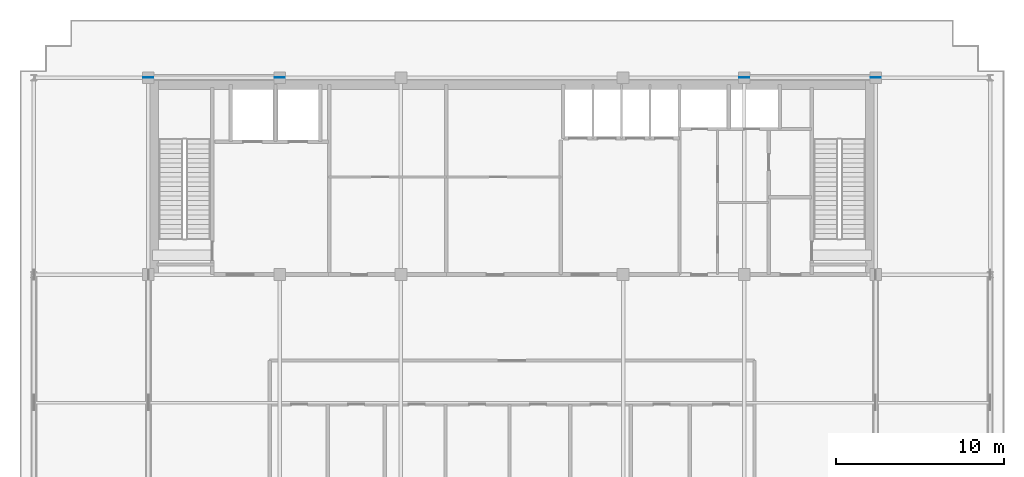
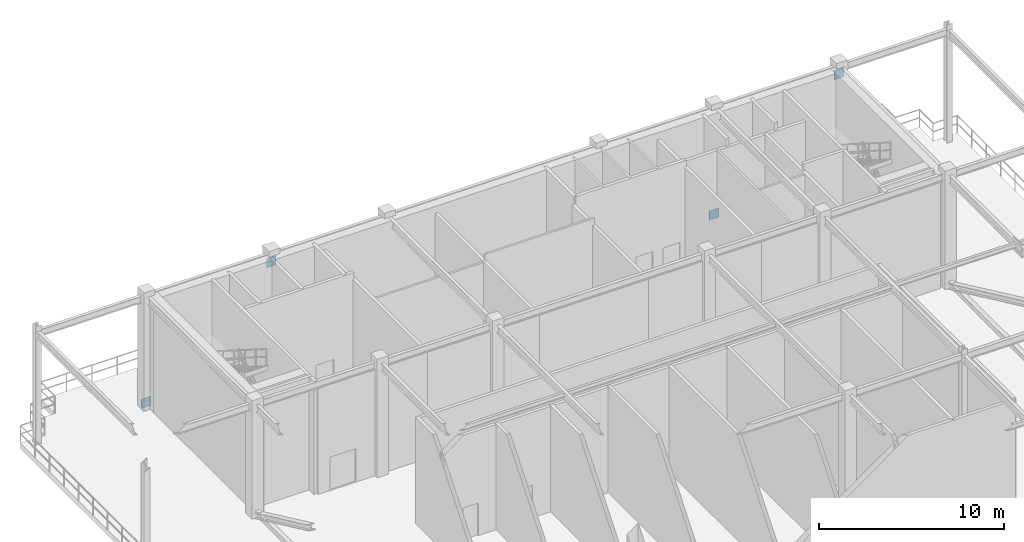
# One storey, part 9 of 15: 4 plates.
"""IFC4 building model written with IfcOpenShell, lengths in metres."""

import ifcopenshell
import ifcopenshell.guid

model = None  # the IFC model being written
_history = None  # IfcOwnerHistory: only IFC2X3 demands one
_inside = {}  # id of a spatial element -> (the spatial element, [elements in it])
_under = {}  # id of a project, library or spatial element -> (it, [spatial elements below it])
_declared = {}  # id of a project -> (the project, [libraries it declares])
_typed = {}  # id of a type object -> (the type object, [elements of that type])
_made_of = {}  # id of a material, layer set ... -> (it, [elements and type objects made of it])


def new_model(schema):
    """Start an empty IFC model of exactly this schema.

    Asked for "IFC4X3", IfcOpenShell would pick the latest addendum, in which some entities
    have other attributes; the version numbers below select the first issue.
    IFC2X3 requires an IfcOwnerHistory on every rooted entity: one is made here for all.
    """
    global model, _history
    if schema == "IFC4X3":
        model = ifcopenshell.file(schema_version=(4, 3, 0, 0))
    else:
        model = ifcopenshell.file(schema=schema)
    _inside.clear()
    _under.clear()
    _declared.clear()
    _typed.clear()
    _made_of.clear()
    _history = None
    if model.schema == "IFC2X3":
        org = make("IfcOrganization", Name="unknown")
        user = make(
            "IfcPersonAndOrganization",
            ThePerson=make("IfcPerson", FamilyName="unknown"),
            TheOrganization=org,
        )
        app = make(
            "IfcApplication",
            ApplicationDeveloper=org,
            Version="unknown",
            ApplicationFullName="unknown",
            ApplicationIdentifier="unknown",
        )
        _history = make(
            "IfcOwnerHistory",
            OwningUser=user,
            OwningApplication=app,
            ChangeAction="ADDED",
            CreationDate=0,
        )
    return model


def make(cls, **values):
    """One entity of the class cls with the attributes given. An attribute that is None is left unset."""
    return model.create_entity(
        cls, **{name: value for name, value in values.items() if value is not None}
    )


def rooted(cls, **values):
    """An entity with a GlobalId (a new one), such as an element, a storey or a relation."""
    return make(cls, GlobalId=ifcopenshell.guid.new(), OwnerHistory=_history, **values)


def si_unit(unit_type, name, prefix=None):
    """IfcSIUnit, for example si_unit("LENGTHUNIT", "METRE", prefix="MILLI")."""
    return make("IfcSIUnit", UnitType=unit_type, Prefix=prefix, Name=name)


def assignment(units):
    """IfcUnitAssignment: the units of a project."""
    return None if units is None else make("IfcUnitAssignment", Units=units)


def point(xyz):
    """IfcCartesianPoint."""
    return None if xyz is None else make("IfcCartesianPoint", Coordinates=xyz)


def direction(xyz):
    """IfcDirection."""
    return None if xyz is None else make("IfcDirection", DirectionRatios=xyz)


def frame(location, z_axis=None, x_axis=None):
    """IfcAxis2Placement3D, a coordinate frame: its origin and axes. An axis left out is left unset."""
    return make(
        "IfcAxis2Placement3D",
        Location=point(location),
        Axis=direction(z_axis),
        RefDirection=direction(x_axis),
    )


def frame_2d(location, x_axis=None):
    """IfcAxis2Placement2D, a coordinate frame in the plane: its origin and x axis."""
    return make(
        "IfcAxis2Placement2D", Location=point(location), RefDirection=direction(x_axis)
    )


def origin():
    """The frame at (0, 0, 0) with its axes left unset."""
    return frame((0.0, 0.0, 0.0))


def origin_2d():
    """The frame at (0, 0) in the plane with its x axis left unset."""
    return frame_2d((0.0, 0.0))


def place(relative_to, where):
    """IfcLocalPlacement: puts the frame where relative to a parent placement (None: the world)."""
    return make(
        "IfcLocalPlacement", PlacementRelTo=relative_to, RelativePlacement=where
    )


def context(
    kind, dimensions, precision=None, world=None, true_north=None, identifier=None
):
    """IfcGeometricRepresentationContext, for example the 3D "Model" context."""
    return make(
        "IfcGeometricRepresentationContext",
        ContextIdentifier=identifier,
        ContextType=kind,
        CoordinateSpaceDimension=dimensions,
        Precision=precision,
        WorldCoordinateSystem=world,
        TrueNorth=true_north,
    )


def subcontext(parent, identifier, kind, view, scale=None):
    """IfcGeometricRepresentationSubContext, for example "Body" below "Model"."""
    return make(
        "IfcGeometricRepresentationSubContext",
        ContextIdentifier=identifier,
        ContextType=kind,
        ParentContext=parent,
        TargetScale=scale,
        TargetView=view,
    )


def project(units=None, contexts=None):
    """IfcProject with its units and contexts."""
    return rooted(
        "IfcProject",
        Name="project",
        RepresentationContexts=contexts,
        UnitsInContext=assignment(units),
    )


def spatial(cls, under=None, at=None, **own):
    """A site, building, storey or space (cls), placed at a placement, below another one or the project."""
    s = rooted(cls, ObjectPlacement=at, **own)
    if under is not None:
        _under.setdefault(under.id(), (under, []))[1].append(s)
    return s


def profile(cls, at=None, kind="AREA", **sizes):
    """A parametric profile (cls). Its sizes go by their IFC names, for example OverallWidth=200.0."""
    return make(cls, ProfileType=kind, Position=at, **sizes)


def rectangle(**sizes):
    """IfcRectangleProfileDef."""
    return profile("IfcRectangleProfileDef", **sizes)


def extrude(swept, where, along, depth):
    """IfcExtrudedAreaSolid: the profile swept, set in the frame where, extruded along a direction by depth."""
    return make(
        "IfcExtrudedAreaSolid",
        SweptArea=swept,
        Position=where,
        ExtrudedDirection=direction(along),
        Depth=depth,
    )


def shape(context_of_items, identifier, shape_type, items):
    """IfcShapeRepresentation: the items that make up one representation, for example the "Body"."""
    return make(
        "IfcShapeRepresentation",
        ContextOfItems=context_of_items,
        RepresentationIdentifier=identifier,
        RepresentationType=shape_type,
        Items=items,
    )


def source(mapping_origin, context_of_items, identifier, shape_type, items):
    """IfcRepresentationMap: a shape defined once, which mapped items show again and again."""
    return make(
        "IfcRepresentationMap",
        MappingOrigin=mapping_origin,
        MappedRepresentation=shape(context_of_items, identifier, shape_type, items),
    )


def transform(
    local_origin,
    x_axis=None,
    y_axis=None,
    z_axis=None,
    scale=None,
    scale2=None,
    scale3=None,
    uniform=True,
):
    """IfcCartesianTransformationOperator3D, or its non-uniform kind. x_axis, y_axis, z_axis: its Axis1, 2, 3."""
    if uniform:
        return make(
            "IfcCartesianTransformationOperator3D",
            Axis1=direction(x_axis),
            Axis2=direction(y_axis),
            LocalOrigin=point(local_origin),
            Scale=scale,
            Axis3=direction(z_axis),
        )
    return make(
        "IfcCartesianTransformationOperator3DnonUniform",
        Axis1=direction(x_axis),
        Axis2=direction(y_axis),
        LocalOrigin=point(local_origin),
        Scale=scale,
        Axis3=direction(z_axis),
        Scale2=scale2,
        Scale3=scale3,
    )


def mapped(mapping_source, mapping_target):
    """IfcMappedItem: shows the shape of a source again, moved by a transform."""
    return make(
        "IfcMappedItem", MappingSource=mapping_source, MappingTarget=mapping_target
    )


def material(Name=None, Category=None):
    """IfcMaterial."""
    return make("IfcMaterial", Name=Name, Category=Category)


def layer(
    of_material, thickness, ventilated=None, Name=None, Category=None, Priority=None
):
    """IfcMaterialLayer: one layer of a wall or slab, of a material (None: an air gap)."""
    return make(
        "IfcMaterialLayer",
        Material=of_material,
        LayerThickness=thickness,
        IsVentilated=ventilated,
        Name=Name,
        Category=Category,
        Priority=Priority,
    )


def layer_set(layers, Name=None):
    """IfcMaterialLayerSet."""
    return make("IfcMaterialLayerSet", MaterialLayers=layers, LayerSetName=Name)


def made_of(thing, what):
    """Note that an element or type object is made of a material, layer set ...; save() writes the relation."""
    if what is not None:
        _made_of.setdefault(what.id(), (what, []))[1].append(thing)
    return thing


def type_object(cls, material=None, **own):
    """A type object (cls), such as IfcWallType, which elements share."""
    return made_of(rooted(cls, **own), material)


def element(
    cls,
    number,
    at=None,
    inside=None,
    cuts=None,
    type_object=None,
    material=None,
    context=None,
    identifier="Body",
    shape_type=None,
    held_by="IfcProductDefinitionShape",
    body=None,
    shapes=None,
    **own,
):
    """One element of the class cls, such as IfcWall. Its Tag is "e" and its number.

    at: its placement. inside: the storey or other place that contains it. cuts: it is an
    opening in that element (IfcRelVoidsElement). A single representation is given by context,
    identifier, shape_type and body (its items); several are given by shapes. held_by: the class
    of the entity that holds the representations. save() writes the other relations.
    """
    e = rooted(cls, Tag="e%d" % number, ObjectPlacement=at, **own)
    if body is not None:
        shapes = [shape(context, identifier, shape_type, body)]
    if shapes is not None:
        e.Representation = make(held_by, Representations=shapes)
    if inside is not None:
        _inside.setdefault(inside.id(), (inside, []))[1].append(e)
    if cuts is not None:
        rooted(
            "IfcRelVoidsElement", RelatingBuildingElement=cuts, RelatedOpeningElement=e
        )
    if type_object is not None:
        _typed.setdefault(type_object.id(), (type_object, []))[1].append(e)
    return made_of(e, material)


def aggregate(whole, parts):
    """IfcRelAggregates: a whole, such as a stair, and the parts it consists of."""
    return rooted("IfcRelAggregates", RelatingObject=whole, RelatedObjects=parts)


def save(model, path):
    """Write the relations noted so far, then the file.

    IfcRelAggregates (storeys below a building ...), IfcRelContainedInSpatialStructure (elements
    in a storey), IfcRelDefinesByType, IfcRelAssociatesMaterial and IfcRelDeclares: one each for
    every whole, place, type object, material and project.
    """
    for whole, parts in _under.values():
        aggregate(whole, parts)
    for where, things in _inside.values():
        rooted(
            "IfcRelContainedInSpatialStructure",
            RelatedElements=things,
            RelatingStructure=where,
        )
    for kind, things in _typed.values():
        rooted("IfcRelDefinesByType", RelatedObjects=things, RelatingType=kind)
    for what, things in _made_of.values():
        rooted("IfcRelAssociatesMaterial", RelatedObjects=things, RelatingMaterial=what)
    for by, libraries in _declared.values():
        rooted("IfcRelDeclares", RelatingContext=by, RelatedDefinitions=libraries)
    model.write(path)


model = new_model("IFC4")

# Units and contexts
model_context = context("Model", 3, precision=1e-05, world=origin(), true_north=direction((0.0, 1.0)))
body_context = subcontext(model_context, "Body", "Model", "MODEL_VIEW")
ifc_project = project(units=[si_unit("LENGTHUNIT", "METRE"), si_unit("AREAUNIT", "SQUARE_METRE"), si_unit("VOLUMEUNIT", "CUBIC_METRE"), si_unit("PLANEANGLEUNIT", "RADIAN"), si_unit("MASSUNIT", "GRAM", prefix="KILO")], contexts=[model_context])

# Site, building, storey
site_placement = place(None, origin())
site = spatial("IfcSite", under=ifc_project, at=site_placement, CompositionType="ELEMENT")
building_placement = place(site_placement, origin())
building = spatial("IfcBuilding", under=site, at=building_placement, Name="Trelvane Seafront Commons", CompositionType="ELEMENT")
storey_placement = place(building_placement, frame((0.0, 0.0, 240.89990234375)))
storey = spatial("IfcBuildingStorey", under=building, at=storey_placement, Name="L63", CompositionType="ELEMENT", Elevation=240.89990234375)

# Plates
ifc_material = material(Name="Steel SM355 (S355)", Category="steel")
ifc_layer = layer(ifc_material, 0.031982421875, Name="STR-PLT-GUS2")
ifc_layer_set = layer_set([ifc_layer], Name="Steel SM355 (S355)")
plate_type = type_object("IfcPlateType", Name="STR-PLT-GUS2", PredefinedType="SHEET", material=ifc_layer_set)
shared_shape = source(origin(), body_context, "Body", "SweptSolid", [
    extrude(rectangle(XDim=0.60009765625, YDim=0.031982421875, at=origin_2d()), origin(), (0.0, 0.0, 1.0), 0.60009765625),
])
for number, where, z_axis, x_axis, name in (
    (1, (15.60009765625, 45.10009765625, -0.02001953125), (0.0, 0.0, 1.0), (1.0, 0.0, 0.0), "L63 Brace Connection Gusset Plate GP-086"),
    (2, (23.39990234375, 45.10009765625, 6.510009765625), (0.0, 0.0, 1.0), (1.0, 0.0, 0.0), "L63 Brace Connection Gusset Plate GP-087"),
    (3, (51.0, 45.10009765625, -0.02001953125), (0.0, 0.0, 1.0), (1.0, 0.0, 0.0), "L63 Brace Connection Gusset Plate GP-090"),
    (4, (58.800048828125, 45.10009765625, 6.510009765625), (0.0, 0.0, 1.0), (1.0, 0.0, 0.0), "L63 Brace Connection Gusset Plate GP-091"),
):
    element("IfcPlate", number, at=place(storey_placement, frame(where, z_axis=z_axis, x_axis=x_axis)), inside=storey, type_object=plate_type, Name=name, PredefinedType="SHEET", context=body_context, shape_type="MappedRepresentation", body=[
        mapped(shared_shape, transform((0.0, 0.0, 0.0), x_axis=(1.0, 0.0, 0.0), y_axis=(0.0, 1.0, 0.0), z_axis=(0.0, 0.0, 1.0), scale=1.0)),
    ])

save(model, "model.ifc")
